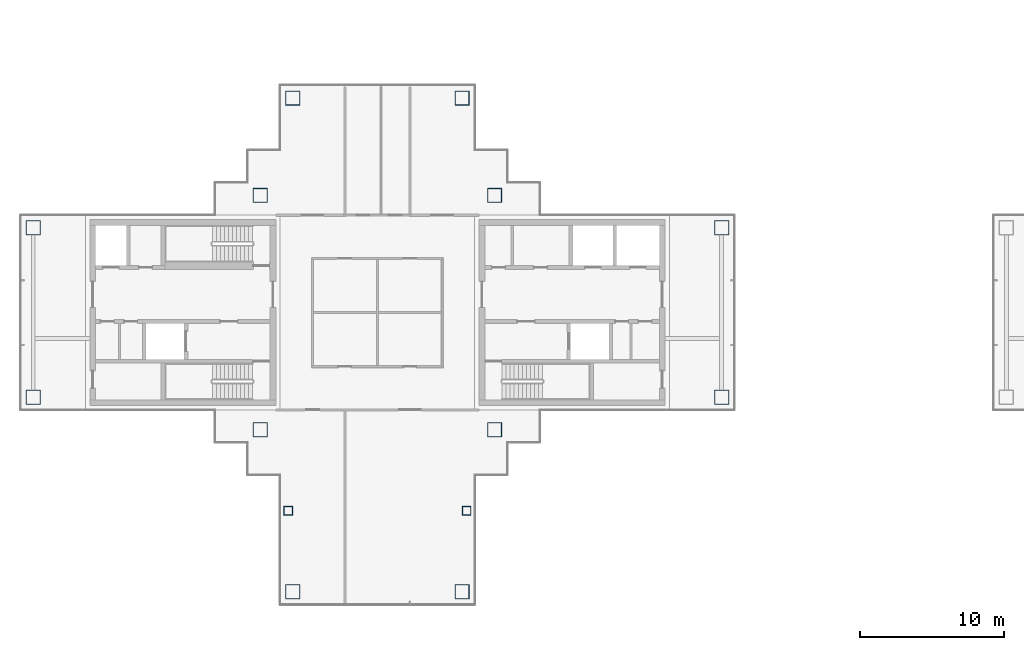
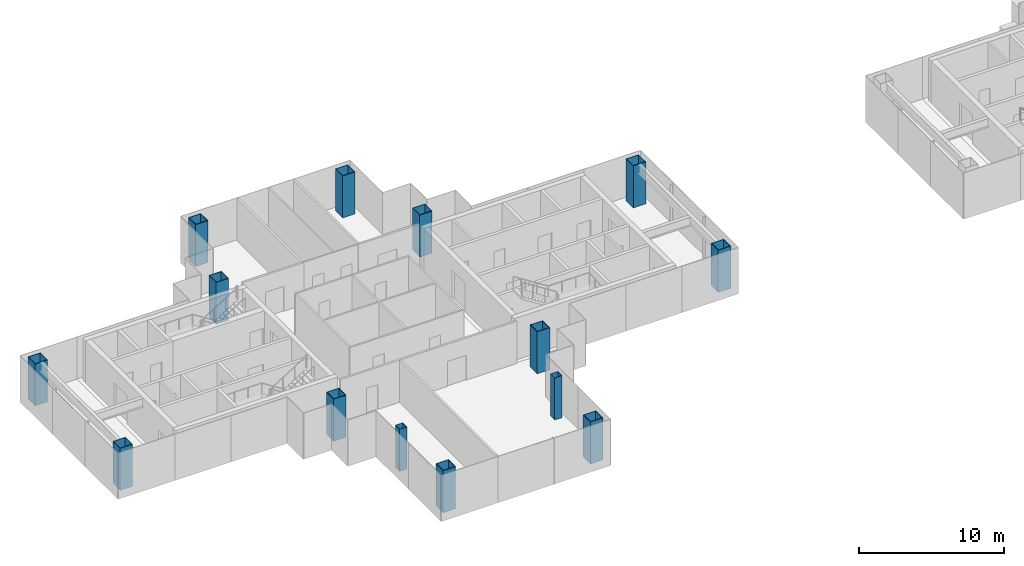
# One storey, part 1 of 16: 14 columns.
"""IFC4 building model written with IfcOpenShell, lengths in metres."""

from ifc_helpers import new_model, si_unit, direction, frame, origin, origin_2d, place, context, subcontext, project, spatial, hollow_rectangle, extrude, material, material_profile, profile_set, type_object, element, save


model = new_model("IFC4")

# Units and contexts
model_context = context("Model", 3, precision=1e-05, world=origin(), true_north=direction((0.0, 1.0)))
body_context = subcontext(model_context, "Body", "Model", "MODEL_VIEW")
ifc_project = project(units=[si_unit("LENGTHUNIT", "METRE"), si_unit("AREAUNIT", "SQUARE_METRE"), si_unit("VOLUMEUNIT", "CUBIC_METRE"), si_unit("PLANEANGLEUNIT", "RADIAN"), si_unit("MASSUNIT", "GRAM", prefix="KILO")], contexts=[model_context])

# Site, building, storey
site_placement = place(None, origin())
site = spatial("IfcSite", under=ifc_project, at=site_placement, CompositionType="ELEMENT")
building_placement = place(site_placement, origin())
building = spatial("IfcBuilding", under=site, at=building_placement, Name="Shamsa Quay Exchange Towers", CompositionType="ELEMENT")
storey_placement = place(building_placement, frame((0.0, 0.0, 186.60009765625)))
storey = spatial("IfcBuildingStorey", under=building, at=storey_placement, Name="L44", CompositionType="ELEMENT", Elevation=186.60009765625)

# Columns
ifc_material_1 = material(Name="Concrete-filled steel tube S355 / C80/95", Category="concrete")
ifc_material_profile_1 = material_profile(ifc_material_1, hollow_rectangle(XDim=1.0, YDim=1.0, WallThickness=0.0400390625, at=origin_2d()), Name="CFT 1000x1000x40")
ifc_profile_set_1 = profile_set([ifc_material_profile_1], Name="Concrete-filled steel tube S355 / C80/95")
column_type_1 = type_object("IfcColumnType", Name="Column CFT 1000x1000x40", PredefinedType="COLUMN", material=ifc_profile_set_1)
for number, where, name in (
    (1, (-25.625, 8.125, 0.0), "Mega column T1-CM01"),
    (2, (-25.625, -8.125, 0.0), "Mega column T1-CM02"),
    (3, (-41.875, 8.125, 0.0), "Mega column T1-CM03"),
    (4, (-41.875, -8.125, 0.0), "Mega column T1-CM04"),
    (5, (-9.875, -5.875, 0.0), "Mega column T1-CM05"),
    (6, (-9.875, 5.875, 0.0), "Mega column T1-CM07"),
    (7, (-57.625, -5.875, 0.0), "Mega column T1-CM09"),
    (8, (-57.625, 5.875, 0.0), "Mega column T1-CM11"),
    (9, (-39.625, 14.875, 0.0), "Mega column T1-CM13"),
    (10, (-27.875, 14.875, 0.0), "Mega column T1-CM16"),
    (11, (-39.625, -19.375, 0.0), "Mega column T1-CM20"),
    (12, (-27.875, -19.375, 0.0), "Mega column T1-CM23"),
):
    element("IfcColumn", number, at=place(storey_placement, frame(where)), inside=storey, type_object=column_type_1, Name=name, PredefinedType="COLUMN", context=body_context, shape_type="SweptSolid", body=[
        extrude(hollow_rectangle(XDim=1.0, YDim=1.0, WallThickness=0.0400390625, at=origin_2d()), origin(), (0.0, 0.0, 1.0), 3.5498046875),
    ])
ifc_material_2 = material(Name="Concrete-filled steel tube S355 / C60/75", Category="concrete")
ifc_material_profile_2 = material_profile(ifc_material_2, hollow_rectangle(XDim=0.60009765625, YDim=0.60009765625, WallThickness=0.02001953125, at=origin_2d()), Name="CFT 600x600x20")
ifc_profile_set_2 = profile_set([ifc_material_profile_2], Name="Concrete-filled steel tube S355 / C60/75")
column_type_2 = type_object("IfcColumnType", Name="Column CFT 600x600x20", PredefinedType="COLUMN", material=ifc_profile_set_2)
for number, where, name in (
    (13, (-39.9375, -13.75, 0.0), "Perimeter column T1-CP19"),
    (14, (-27.5625, -13.75, 0.0), "Perimeter column T1-CP22"),
):
    element("IfcColumn", number, at=place(storey_placement, frame(where)), inside=storey, type_object=column_type_2, Name=name, PredefinedType="COLUMN", context=body_context, shape_type="SweptSolid", body=[
        extrude(hollow_rectangle(XDim=0.60009765625, YDim=0.60009765625, WallThickness=0.02001953125, at=origin_2d()), origin(), (0.0, 0.0, 1.0), 3.5498046875),
    ])

save(model, "model.ifc")
